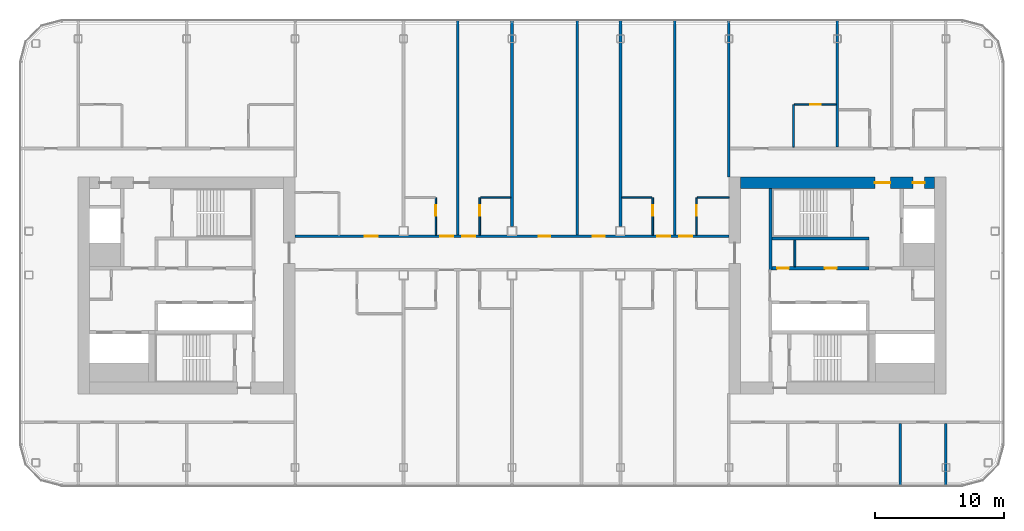
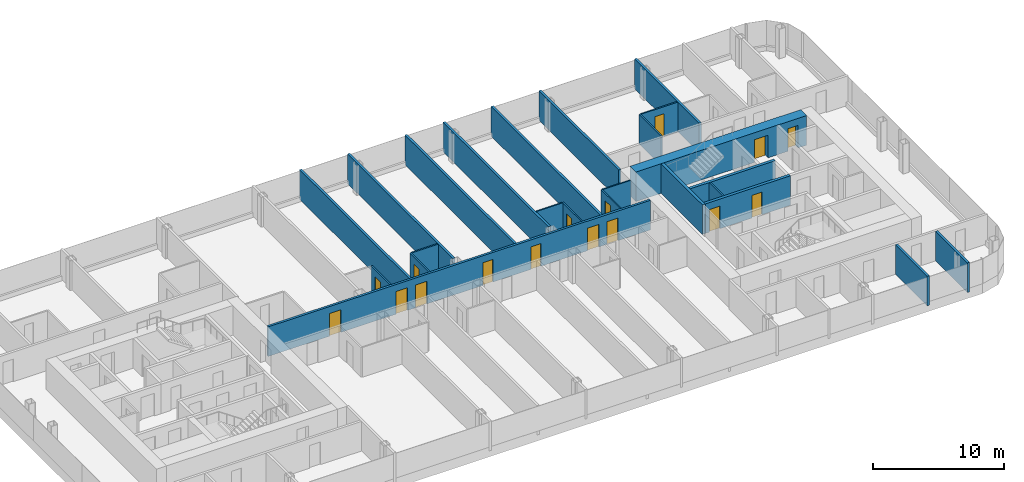
# One storey, part 16 of 26: 24 walls, 16 doors, 16 openings.
"""IFC4 building model written with IfcOpenShell, lengths in metres."""

from ifc_helpers import new_model, si_unit, direction, frame, frame_2d, origin, place, context, subcontext, project, spatial, rectangle, extrude, material, layer, layer_set, type_object, element, fill, save


model = new_model("IFC4")

# Units and contexts
model_context = context("Model", 3, precision=1e-05, world=origin(), true_north=direction((0.0, 1.0)))
body_context = subcontext(model_context, "Body", "Model", "MODEL_VIEW")
ifc_project = project(units=[si_unit("LENGTHUNIT", "METRE"), si_unit("AREAUNIT", "SQUARE_METRE"), si_unit("VOLUMEUNIT", "CUBIC_METRE"), si_unit("PLANEANGLEUNIT", "RADIAN"), si_unit("MASSUNIT", "GRAM", prefix="KILO")], contexts=[model_context])

# Site, building, storey
site_placement = place(None, origin())
site = spatial("IfcSite", under=ifc_project, at=site_placement, CompositionType="ELEMENT")
building_placement = place(site_placement, origin())
building = spatial("IfcBuilding", under=site, at=building_placement, Name="Hakoniwa Tower and Hamabe Station Hall", CompositionType="ELEMENT")
storey_placement = place(building_placement, frame((0.0, 0.0, 209.0)))
storey = spatial("IfcBuildingStorey", under=building, at=storey_placement, Name="L59", CompositionType="ELEMENT", Elevation=209.0)

# Walls
ifc_material_1 = material(Name="Gypsum board partition", Category="gypsum")
ifc_layer_1 = layer(ifc_material_1, 0.125)
ifc_layer_set_1 = layer_set([ifc_layer_1], Name="Bathroom Partition 125")
wall_type_1 = type_object("IfcWallType", Name="Bathroom Partition 125", PredefinedType="PARTITIONING", material=ifc_layer_set_1)
for number, where, z_axis, x_axis, name in (
    (1, (-2.4375, 6.800048828125, 0.0), (0.0, 0.0, 1.0), (1.0, 0.0, 0.0), "GW-L59-011"),
    (2, (8.5, 6.800048828125, 0.0), (0.0, 0.0, 1.0), (1.0, 0.0, 0.0), "GW-L59-012"),
):
    element("IfcWall", number, at=place(storey_placement, frame(where, z_axis=z_axis, x_axis=x_axis)), inside=storey, type_object=wall_type_1, Name=name, PredefinedType="PARTITIONING", context=body_context, shape_type="SweptSolid", body=[
        extrude(rectangle(XDim=2.33740234375, YDim=0.125, at=frame_2d((1.168701171875, 0.0))), origin(), (0.0, 0.0, 1.0), 2.75),
    ])
wall_1_placement = place(storey_placement, frame((14.362548828125, 6.800048828125, 0.0), z_axis=(0.0, 0.0, 1.0), x_axis=(1.0, 0.0, 0.0)))
element("IfcWall", 3, at=wall_1_placement, inside=storey, type_object=wall_type_1, Name="GW-L59-013", PredefinedType="PARTITIONING", context=body_context, shape_type="SweptSolid", body=[
    extrude(rectangle(XDim=2.447509765625, YDim=0.125, at=frame_2d((1.2236328125, 0.0))), origin(), (0.0, 0.0, 1.0), 2.75),
])

# Wall, opening, door
wall_2_placement = place(storey_placement, frame((21.862548828125, 14.0, 0.0), z_axis=(0.0, 0.0, 1.0), x_axis=(1.0, 0.0, 0.0)))
wall_2 = element("IfcWall", 4, at=wall_2_placement, inside=storey, type_object=wall_type_1, Name="GW-L59-021", PredefinedType="PARTITIONING", context=body_context, shape_type="SweptSolid", body=[
    extrude(rectangle(XDim=3.237548828125, YDim=0.125, at=frame_2d((1.61865234375, 0.0))), origin(), (0.0, 0.0, 1.0), 2.75),
])
opening_1_placement = place(wall_2_placement, frame((1.237548828125, 0.0, 0.0)))
opening_1 = element("IfcOpeningElement", 5, at=opening_1_placement, cuts=wall_2, Name="Opening GD-G4C1-33", PredefinedType="OPENING", context=body_context, shape_type="SweptSolid", body=[
    extrude(rectangle(XDim=0.800048828125, YDim=2.10009765625, at=frame_2d((0.39990234375, 1.050048828125))), frame((0.0, 0.072509765625, 0.0), z_axis=(0.0, -1.0, 0.0), x_axis=(1.0, 0.0, 0.0)), (0.0, 0.0, 1.0), 0.14501953125),
])
ifc_material_2 = material(Name="Timber door leaf", Category="wood")
door_type_1 = type_object("IfcDoorType", Name="Bathroom Door 800", OperationType="SINGLE_SWING_LEFT", PredefinedType="DOOR", material=ifc_material_2)
door_1_placement = place(opening_1_placement, origin())
door_1 = element("IfcDoor", 6, at=door_1_placement, inside=storey, type_object=door_type_1, Name="Door GD-G4C1-33", OperationType="SINGLE_SWING_RIGHT", OverallHeight=2.10009765625, OverallWidth=0.800048828125, PredefinedType="DOOR", context=body_context, shape_type="SweptSolid", body=[
    extrude(rectangle(XDim=0.800048828125, YDim=2.10009765625, at=frame_2d((0.39990234375, 1.050048828125))), frame((0.0, 0.02490234375, 0.0), z_axis=(0.0, -1.0, 0.0), x_axis=(1.0, 0.0, 0.0)), (0.0, 0.0, 1.0), 0.050048828125),
])
fill(opening_1, door_1)

wall_3_placement = place(storey_placement, frame((-5.89990234375, 3.89990234375, 0.0), z_axis=(0.0, 0.0, 1.0), x_axis=(0.0, 1.0, 0.0)))
wall_3 = element("IfcWall", 7, at=wall_3_placement, inside=storey, type_object=wall_type_1, Name="GW-L59-036", PredefinedType="PARTITIONING", context=body_context, shape_type="SweptSolid", body=[
    extrude(rectangle(XDim=2.900146484375, YDim=0.125, at=frame_2d((1.4501953125, 0.0))), origin(), (0.0, 0.0, 1.0), 2.75),
])
opening_2_placement = place(wall_3_placement, frame((1.5, 0.0, 0.0)))
opening_2 = element("IfcOpeningElement", 8, at=opening_2_placement, cuts=wall_3, Name="Opening GD-G4C1-37", PredefinedType="OPENING", context=body_context, shape_type="SweptSolid", body=[
    extrude(rectangle(XDim=0.800048828125, YDim=2.10009765625, at=frame_2d((0.39990234375, 1.050048828125))), frame((0.0, 0.072509765625, 0.0), z_axis=(0.0, -1.0, 0.0), x_axis=(1.0, 0.0, 0.0)), (0.0, 0.0, 1.0), 0.14501953125),
])
door_2_placement = place(opening_2_placement, origin())
door_2 = element("IfcDoor", 9, at=door_2_placement, inside=storey, type_object=door_type_1, Name="Door GD-G4C1-37", OperationType="SINGLE_SWING_LEFT", OverallHeight=2.10009765625, OverallWidth=0.800048828125, PredefinedType="DOOR", context=body_context, shape_type="SweptSolid", body=[
    extrude(rectangle(XDim=0.800048828125, YDim=2.10009765625, at=frame_2d((0.39990234375, 1.050048828125))), frame((0.0, 0.02490234375, 0.0), z_axis=(0.0, -1.0, 0.0), x_axis=(1.0, 0.0, 0.0)), (0.0, 0.0, 1.0), 0.050048828125),
])
fill(opening_2, door_2)

wall_4_placement = place(storey_placement, frame((-2.5, 3.89990234375, 0.0), z_axis=(0.0, 0.0, 1.0), x_axis=(0.0, 1.0, 0.0)))
wall_4 = element("IfcWall", 10, at=wall_4_placement, inside=storey, type_object=wall_type_1, Name="GW-L59-040", PredefinedType="PARTITIONING", context=body_context, shape_type="SweptSolid", body=[
    extrude(rectangle(XDim=2.900146484375, YDim=0.125, at=frame_2d((1.4501953125, 0.0))), origin(), (0.0, 0.0, 1.0), 2.75),
])
opening_3_placement = place(wall_4_placement, frame((1.5, 0.0, 0.0)))
opening_3 = element("IfcOpeningElement", 11, at=opening_3_placement, cuts=wall_4, Name="Opening GD-G4C1-39", PredefinedType="OPENING", context=body_context, shape_type="SweptSolid", body=[
    extrude(rectangle(XDim=0.800048828125, YDim=2.10009765625, at=frame_2d((0.39990234375, 1.050048828125))), frame((0.0, 0.072509765625, 0.0), z_axis=(0.0, -1.0, 0.0), x_axis=(1.0, 0.0, 0.0)), (0.0, 0.0, 1.0), 0.14501953125),
])
door_3_placement = place(opening_3_placement, origin())
door_3 = element("IfcDoor", 12, at=door_3_placement, inside=storey, type_object=door_type_1, Name="Door GD-G4C1-39", OperationType="SINGLE_SWING_RIGHT", OverallHeight=2.10009765625, OverallWidth=0.800048828125, PredefinedType="DOOR", context=body_context, shape_type="SweptSolid", body=[
    extrude(rectangle(XDim=0.800048828125, YDim=2.10009765625, at=frame_2d((0.39990234375, 1.050048828125))), frame((0.0, 0.02490234375, 0.0), z_axis=(0.0, -1.0, 0.0), x_axis=(1.0, 0.0, 0.0)), (0.0, 0.0, 1.0), 0.050048828125),
])
fill(opening_3, door_3)

wall_5_placement = place(storey_placement, frame((10.89990234375, 3.89990234375, 0.0), z_axis=(0.0, 0.0, 1.0), x_axis=(0.0, 1.0, 0.0)))
wall_5 = element("IfcWall", 13, at=wall_5_placement, inside=storey, type_object=wall_type_1, Name="GW-L59-048", PredefinedType="PARTITIONING", context=body_context, shape_type="SweptSolid", body=[
    extrude(rectangle(XDim=2.900146484375, YDim=0.125, at=frame_2d((1.4501953125, 0.0))), origin(), (0.0, 0.0, 1.0), 2.75),
])
opening_4_placement = place(wall_5_placement, frame((1.5, 0.0, 0.0)))
opening_4 = element("IfcOpeningElement", 14, at=opening_4_placement, cuts=wall_5, Name="Opening GD-G4C1-41", PredefinedType="OPENING", context=body_context, shape_type="SweptSolid", body=[
    extrude(rectangle(XDim=0.800048828125, YDim=2.10009765625, at=frame_2d((0.39990234375, 1.050048828125))), frame((0.0, 0.072509765625, 0.0), z_axis=(0.0, -1.0, 0.0), x_axis=(1.0, 0.0, 0.0)), (0.0, 0.0, 1.0), 0.14501953125),
])
door_4_placement = place(opening_4_placement, origin())
door_4 = element("IfcDoor", 15, at=door_4_placement, inside=storey, type_object=door_type_1, Name="Door GD-G4C1-41", OperationType="SINGLE_SWING_LEFT", OverallHeight=2.10009765625, OverallWidth=0.800048828125, PredefinedType="DOOR", context=body_context, shape_type="SweptSolid", body=[
    extrude(rectangle(XDim=0.800048828125, YDim=2.10009765625, at=frame_2d((0.39990234375, 1.050048828125))), frame((0.0, 0.02490234375, 0.0), z_axis=(0.0, -1.0, 0.0), x_axis=(1.0, 0.0, 0.0)), (0.0, 0.0, 1.0), 0.050048828125),
])
fill(opening_4, door_4)

wall_6_placement = place(storey_placement, frame((14.300048828125, 3.89990234375, 0.0), z_axis=(0.0, 0.0, 1.0), x_axis=(0.0, 1.0, 0.0)))
wall_6 = element("IfcWall", 16, at=wall_6_placement, inside=storey, type_object=wall_type_1, Name="GW-L59-052", PredefinedType="PARTITIONING", context=body_context, shape_type="SweptSolid", body=[
    extrude(rectangle(XDim=2.900146484375, YDim=0.125, at=frame_2d((1.4501953125, 0.0))), origin(), (0.0, 0.0, 1.0), 2.75),
])
opening_5_placement = place(wall_6_placement, frame((1.5, 0.0, 0.0)))
opening_5 = element("IfcOpeningElement", 17, at=opening_5_placement, cuts=wall_6, Name="Opening GD-G4C1-43", PredefinedType="OPENING", context=body_context, shape_type="SweptSolid", body=[
    extrude(rectangle(XDim=0.800048828125, YDim=2.10009765625, at=frame_2d((0.39990234375, 1.050048828125))), frame((0.0, 0.072509765625, 0.0), z_axis=(0.0, -1.0, 0.0), x_axis=(1.0, 0.0, 0.0)), (0.0, 0.0, 1.0), 0.14501953125),
])
door_5_placement = place(opening_5_placement, origin())
door_5 = element("IfcDoor", 18, at=door_5_placement, inside=storey, type_object=door_type_1, Name="Door GD-G4C1-43", OperationType="SINGLE_SWING_RIGHT", OverallHeight=2.10009765625, OverallWidth=0.800048828125, PredefinedType="DOOR", context=body_context, shape_type="SweptSolid", body=[
    extrude(rectangle(XDim=0.800048828125, YDim=2.10009765625, at=frame_2d((0.39990234375, 1.050048828125))), frame((0.0, 0.02490234375, 0.0), z_axis=(0.0, -1.0, 0.0), x_axis=(1.0, 0.0, 0.0)), (0.0, 0.0, 1.0), 0.050048828125),
])
fill(opening_5, door_5)

# Walls
wall_7_placement = place(storey_placement, frame((21.800048828125, 10.699951171875, 0.0), z_axis=(0.0, 0.0, 1.0), x_axis=(0.0, 1.0, 0.0)))
element("IfcWall", 19, at=wall_7_placement, inside=storey, type_object=wall_type_1, Name="GW-L59-056", PredefinedType="PARTITIONING", context=body_context, shape_type="SweptSolid", body=[
    extrude(rectangle(XDim=3.300048828125, YDim=0.125, at=frame_2d((1.64990234375, 0.0))), origin(), (0.0, 0.0, 1.0), 2.75),
])
ifc_material_3 = material(Name="Gypsum board partition")
ifc_layer_2 = layer(ifc_material_3, 0.14990234375)
ifc_layer_set_2 = layer_set([ifc_layer_2], Name="CORE PARTITION 150 EI 60")
wall_type_2 = type_object("IfcWallType", Name="CORE PARTITION 150 EI 60", PredefinedType="PARTITIONING", material=ifc_layer_set_2)
wall_8_placement = place(storey_placement, frame((21.89990234375, 1.449951171875, 0.0), z_axis=(0.0, 0.0, 1.0), x_axis=(0.0, 1.0, 0.0)))
element("IfcWall", 20, at=wall_8_placement, inside=storey, type_object=wall_type_2, Name="Core partition PFLR0 east", PredefinedType="PARTITIONING", context=body_context, shape_type="SweptSolid", body=[
    extrude(rectangle(XDim=2.050048828125, YDim=0.14990234375, at=frame_2d((1.02490234375, 0.0))), origin(), (0.0, 0.0, 1.0), 2.75),
])

# Wall, openings, doors
ifc_material_4 = material(Name="Concrete C60", Category="concrete")
ifc_layer_3 = layer(ifc_material_4, 0.89990234375)
ifc_layer_set_3 = layer_set([ifc_layer_3], Name="CORE WALL 900 C60")
wall_type_3 = type_object("IfcWallType", Name="CORE WALL 900 C60", PredefinedType="SHEAR", material=ifc_layer_set_3)
wall_9_placement = place(storey_placement, frame((17.699951171875, 7.949951171875, 0.0), z_axis=(0.0, 0.0, 1.0), x_axis=(1.0, 0.0, 0.0)))
wall_9 = element("IfcWall", 21, at=wall_9_placement, inside=storey, type_object=wall_type_3, Name="Core wall NORTH east", PredefinedType="SHEAR", context=body_context, shape_type="SweptSolid", body=[
    extrude(rectangle(XDim=15.0, YDim=0.89990234375, at=frame_2d((7.5, 0.0))), origin(), (0.0, 0.0, 1.0), 2.75),
])
opening_6_placement = place(wall_9_placement, frame((10.39990234375, 0.0, 0.0)))
opening_6 = element("IfcOpeningElement", 22, at=opening_6_placement, cuts=wall_9, Name="Opening CD-E-FN1-12", PredefinedType="OPENING", context=body_context, shape_type="SweptSolid", body=[
    extrude(rectangle(XDim=1.199951171875, YDim=2.10009765625, at=frame_2d((0.60009765625, 1.050048828125))), frame((0.0, 0.4599609375, 0.0), z_axis=(0.0, -1.0, 0.0), x_axis=(1.0, 0.0, 0.0)), (0.0, 0.0, 1.0), 0.919921875),
])
opening_7_placement = place(wall_9_placement, frame((13.35009765625, 0.0, 0.0)))
opening_7 = element("IfcOpeningElement", 23, at=opening_7_placement, cuts=wall_9, Name="Opening CD-E-FN2-9", PredefinedType="OPENING", context=body_context, shape_type="SweptSolid", body=[
    extrude(rectangle(XDim=0.89990234375, YDim=2.10009765625, at=frame_2d((0.449951171875, 1.050048828125))), frame((0.0, 0.4599609375, 0.0), z_axis=(0.0, -1.0, 0.0), x_axis=(1.0, 0.0, 0.0)), (0.0, 0.0, 1.0), 0.919921875),
])
ifc_material_5 = material(Name="Steel fire door", Category="steel")
door_type_2 = type_object("IfcDoorType", Name="CORE DOOR 1200 FD60", OperationType="DOUBLE_DOOR_SINGLE_SWING", PredefinedType="DOOR", material=ifc_material_5)
door_6_placement = place(opening_6_placement, origin())
door_6 = element("IfcDoor", 24, at=door_6_placement, inside=storey, type_object=door_type_2, Name="Stair vestibule door to the fire-fighting lobby", OperationType="DOUBLE_DOOR_SINGLE_SWING", OverallHeight=2.10009765625, OverallWidth=1.199951171875, PredefinedType="DOOR", context=body_context, shape_type="SweptSolid", body=[
    extrude(rectangle(XDim=1.199951171875, YDim=2.10009765625, at=frame_2d((0.60009765625, 1.050048828125))), frame((0.0, 0.02490234375, 0.0), z_axis=(0.0, -1.0, 0.0), x_axis=(1.0, 0.0, 0.0)), (0.0, 0.0, 1.0), 0.050048828125),
])
fill(opening_6, door_6)
ifc_material_6 = material(Name="Steel fire door", Category="steel")
door_type_3 = type_object("IfcDoorType", Name="CORE DOOR 900 FD30", OperationType="NOTDEFINED", PredefinedType="DOOR", material=ifc_material_6)
door_7_placement = place(opening_7_placement, origin())
door_7 = element("IfcDoor", 25, at=door_7_placement, inside=storey, type_object=door_type_3, Name="Riser access door", OperationType="SINGLE_SWING_RIGHT", OverallHeight=2.10009765625, OverallWidth=0.89990234375, PredefinedType="DOOR", context=body_context, shape_type="SweptSolid", body=[
    extrude(rectangle(XDim=0.89990234375, YDim=2.10009765625, at=frame_2d((0.449951171875, 1.050048828125))), frame((0.0, 0.02490234375, 0.0), z_axis=(0.0, -1.0, 0.0), x_axis=(1.0, 0.0, 0.0)), (0.0, 0.0, 1.0), 0.050048828125),
])
fill(opening_7, door_7)

# Wall
ifc_material_7 = material(Name="Concrete C60", Category="concrete")
ifc_layer_4 = layer(ifc_material_7, 0.25)
ifc_layer_set_4 = layer_set([ifc_layer_4], Name="CORE WEB WALL 250 C60")
wall_type_4 = type_object("IfcWallType", Name="CORE WEB WALL 250 C60", PredefinedType="SHEAR", material=ifc_layer_set_4)
wall_10_placement = place(storey_placement, frame((20.02490234375, 1.199951171875, 0.0), z_axis=(0.0, 0.0, 1.0), x_axis=(0.0, 1.0, 0.0)))
element("IfcWall", 26, at=wall_10_placement, inside=storey, type_object=wall_type_4, Name="Core wall W1N east", PredefinedType="SHEAR", context=body_context, shape_type="SweptSolid", body=[
    extrude(rectangle(XDim=6.300048828125, YDim=0.25, at=frame_2d((3.14990234375, 0.0))), origin(), (0.0, 0.0, 1.0), 2.75),
])

# Wall, openings, doors
wall_11_placement = place(storey_placement, frame((20.14990234375, 1.324951171875, 0.0), z_axis=(0.0, 0.0, 1.0), x_axis=(1.0, 0.0, 0.0)))
wall_11 = element("IfcWall", 27, at=wall_11_placement, inside=storey, type_object=wall_type_4, Name="Core wall NF east", PredefinedType="SHEAR", context=body_context, shape_type="SweptSolid", body=[
    extrude(rectangle(XDim=7.5, YDim=0.25, at=frame_2d((3.75, 0.0))), origin(), (0.0, 0.0, 1.0), 2.75),
])
opening_8_placement = place(wall_11_placement, frame((0.387451171875, 0.0, 0.0)))
opening_8 = element("IfcOpeningElement", 28, at=opening_8_placement, cuts=wall_11, Name="Opening CD-E-FRLR0-9", PredefinedType="OPENING", context=body_context, shape_type="SweptSolid", body=[
    extrude(rectangle(XDim=0.89990234375, YDim=2.10009765625, at=frame_2d((0.449951171875, 1.050048828125))), frame((0.0, 0.135009765625, 0.0), z_axis=(0.0, -1.0, 0.0), x_axis=(1.0, 0.0, 0.0)), (0.0, 0.0, 1.0), 0.27001953125),
])
opening_9_placement = place(wall_11_placement, frame((4.08740234375, 0.0, 0.0)))
opening_9 = element("IfcOpeningElement", 29, at=opening_9_placement, cuts=wall_11, Name="Opening CD-E-FRLR1-9", PredefinedType="OPENING", context=body_context, shape_type="SweptSolid", body=[
    extrude(rectangle(XDim=0.89990234375, YDim=2.10009765625, at=frame_2d((0.449951171875, 1.050048828125))), frame((0.0, 0.135009765625, 0.0), z_axis=(0.0, -1.0, 0.0), x_axis=(1.0, 0.0, 0.0)), (0.0, 0.0, 1.0), 0.27001953125),
])
door_8_placement = place(opening_8_placement, origin())
door_8 = element("IfcDoor", 30, at=door_8_placement, inside=storey, type_object=door_type_3, Name="Store room door", OperationType="SINGLE_SWING_LEFT", OverallHeight=2.10009765625, OverallWidth=0.89990234375, PredefinedType="DOOR", context=body_context, shape_type="SweptSolid", body=[
    extrude(rectangle(XDim=0.89990234375, YDim=2.10009765625, at=frame_2d((0.449951171875, 1.050048828125))), frame((0.0, 0.02490234375, 0.0), z_axis=(0.0, -1.0, 0.0), x_axis=(1.0, 0.0, 0.0)), (0.0, 0.0, 1.0), 0.050048828125),
])
fill(opening_8, door_8)
door_9_placement = place(opening_9_placement, origin())
door_9 = element("IfcDoor", 31, at=door_9_placement, inside=storey, type_object=door_type_3, Name="Store room door", OperationType="SINGLE_SWING_RIGHT", OverallHeight=2.10009765625, OverallWidth=0.89990234375, PredefinedType="DOOR", context=body_context, shape_type="SweptSolid", body=[
    extrude(rectangle(XDim=0.89990234375, YDim=2.10009765625, at=frame_2d((0.449951171875, 1.050048828125))), frame((0.0, 0.02490234375, 0.0), z_axis=(0.0, -1.0, 0.0), x_axis=(1.0, 0.0, 0.0)), (0.0, 0.0, 1.0), 0.050048828125),
])
fill(opening_9, door_9)

# Wall
wall_12_placement = place(storey_placement, frame((20.14990234375, 3.625, 0.0), z_axis=(0.0, 0.0, 1.0), x_axis=(1.0, 0.0, 0.0)))
element("IfcWall", 32, at=wall_12_placement, inside=storey, type_object=wall_type_4, Name="Core wall NR east", PredefinedType="SHEAR", context=body_context, shape_type="SweptSolid", body=[
    extrude(rectangle(XDim=7.5, YDim=0.25, at=frame_2d((3.75, 0.0))), origin(), (0.0, 0.0, 1.0), 2.75),
])

# Wall, openings, doors
ifc_material_8 = material(Name="Fire-rated gypsum board partition", Category="gypsum")
ifc_layer_5 = layer(ifc_material_8, 0.199951171875)
ifc_layer_set_5 = layer_set([ifc_layer_5], Name="Corridor Wall 200")
wall_type_5 = type_object("IfcWallType", Name="Corridor Wall 200", PredefinedType="PARTITIONING", material=ifc_layer_set_5)
wall_13_placement = place(storey_placement, frame((-16.800048828125, 3.800048828125, 0.0), z_axis=(0.0, 0.0, 1.0), x_axis=(1.0, 0.0, 0.0)))
wall_13 = element("IfcWall", 33, at=wall_13_placement, inside=storey, type_object=wall_type_5, Name="GW-L59-009", PredefinedType="PARTITIONING", context=body_context, shape_type="SweptSolid", body=[
    extrude(rectangle(XDim=33.60009765625, YDim=0.199951171875, at=frame_2d((16.800048828125, 0.0))), origin(), (0.0, 0.0, 1.0), 2.75),
])
opening_10_placement = place(wall_13_placement, frame((5.39990234375, 0.0, 0.0)))
opening_10 = element("IfcOpeningElement", 34, at=opening_10_placement, cuts=wall_13, Name="Opening GD-G4C1-17", PredefinedType="OPENING", context=body_context, shape_type="SweptSolid", body=[
    extrude(rectangle(XDim=1.0, YDim=2.10009765625, at=frame_2d((0.5, 1.050048828125))), frame((0.0, 0.10986328125, 0.0), z_axis=(0.0, -1.0, 0.0), x_axis=(1.0, 0.0, 0.0)), (0.0, 0.0, 1.0), 0.219970703125),
])
opening_11_placement = place(wall_13_placement, frame((11.25, 0.0, 0.0)))
opening_11 = element("IfcOpeningElement", 35, at=opening_11_placement, cuts=wall_13, Name="Opening GD-G4C1-18", PredefinedType="OPENING", context=body_context, shape_type="SweptSolid", body=[
    extrude(rectangle(XDim=1.0, YDim=2.10009765625, at=frame_2d((0.5, 1.050048828125))), frame((0.0, 0.10986328125, 0.0), z_axis=(0.0, -1.0, 0.0), x_axis=(1.0, 0.0, 0.0)), (0.0, 0.0, 1.0), 0.219970703125),
])
opening_12_placement = place(wall_13_placement, frame((12.949951171875, 0.0, 0.0)))
opening_12 = element("IfcOpeningElement", 36, at=opening_12_placement, cuts=wall_13, Name="Opening GD-G4C1-19", PredefinedType="OPENING", context=body_context, shape_type="SweptSolid", body=[
    extrude(rectangle(XDim=1.0, YDim=2.10009765625, at=frame_2d((0.5, 1.050048828125))), frame((0.0, 0.10986328125, 0.0), z_axis=(0.0, -1.0, 0.0), x_axis=(1.0, 0.0, 0.0)), (0.0, 0.0, 1.0), 0.219970703125),
])
opening_13_placement = place(wall_13_placement, frame((18.8701171875, 0.0, 0.0)))
opening_13 = element("IfcOpeningElement", 37, at=opening_13_placement, cuts=wall_13, Name="Opening GD-G4C1-20", PredefinedType="OPENING", context=body_context, shape_type="SweptSolid", body=[
    extrude(rectangle(XDim=0.89990234375, YDim=2.10009765625, at=frame_2d((0.449951171875, 1.050048828125))), frame((0.0, 0.10986328125, 0.0), z_axis=(0.0, -1.0, 0.0), x_axis=(1.0, 0.0, 0.0)), (0.0, 0.0, 1.0), 0.219970703125),
])
opening_14_placement = place(wall_13_placement, frame((23.070068359375, 0.0, 0.0)))
opening_14 = element("IfcOpeningElement", 38, at=opening_14_placement, cuts=wall_13, Name="Opening GD-G4C1-21", PredefinedType="OPENING", context=body_context, shape_type="SweptSolid", body=[
    extrude(rectangle(XDim=0.89990234375, YDim=2.10009765625, at=frame_2d((0.449951171875, 1.050048828125))), frame((0.0, 0.10986328125, 0.0), z_axis=(0.0, -1.0, 0.0), x_axis=(1.0, 0.0, 0.0)), (0.0, 0.0, 1.0), 0.219970703125),
])
opening_15_placement = place(wall_13_placement, frame((28.050048828125, 0.0, 0.0)))
opening_15 = element("IfcOpeningElement", 39, at=opening_15_placement, cuts=wall_13, Name="Opening GD-G4C1-22", PredefinedType="OPENING", context=body_context, shape_type="SweptSolid", body=[
    extrude(rectangle(XDim=1.0, YDim=2.10009765625, at=frame_2d((0.5, 1.050048828125))), frame((0.0, 0.10986328125, 0.0), z_axis=(0.0, -1.0, 0.0), x_axis=(1.0, 0.0, 0.0)), (0.0, 0.0, 1.0), 0.219970703125),
])
opening_16_placement = place(wall_13_placement, frame((29.75, 0.0, 0.0)))
opening_16 = element("IfcOpeningElement", 40, at=opening_16_placement, cuts=wall_13, Name="Opening GD-G4C1-23", PredefinedType="OPENING", context=body_context, shape_type="SweptSolid", body=[
    extrude(rectangle(XDim=1.0, YDim=2.10009765625, at=frame_2d((0.5, 1.050048828125))), frame((0.0, 0.10986328125, 0.0), z_axis=(0.0, -1.0, 0.0), x_axis=(1.0, 0.0, 0.0)), (0.0, 0.0, 1.0), 0.219970703125),
])
ifc_material_9 = material(Name="Timber door leaf", Category="wood")
door_type_4 = type_object("IfcDoorType", Name="Guest Entrance Door 1000", OperationType="SINGLE_SWING_LEFT", PredefinedType="DOOR", material=ifc_material_9)
door_10_placement = place(opening_10_placement, origin())
door_10 = element("IfcDoor", 41, at=door_10_placement, inside=storey, type_object=door_type_4, Name="Door GD-G4C1-17", OperationType="SINGLE_SWING_LEFT", OverallHeight=2.10009765625, OverallWidth=1.0, PredefinedType="DOOR", context=body_context, shape_type="SweptSolid", body=[
    extrude(rectangle(XDim=1.0, YDim=2.10009765625, at=frame_2d((0.5, 1.050048828125))), frame((0.0, 0.02490234375, 0.0), z_axis=(0.0, -1.0, 0.0), x_axis=(1.0, 0.0, 0.0)), (0.0, 0.0, 1.0), 0.050048828125),
])
fill(opening_10, door_10)
door_11_placement = place(opening_11_placement, origin())
door_11 = element("IfcDoor", 42, at=door_11_placement, inside=storey, type_object=door_type_4, Name="Door GD-G4C1-18", OperationType="SINGLE_SWING_RIGHT", OverallHeight=2.10009765625, OverallWidth=1.0, PredefinedType="DOOR", context=body_context, shape_type="SweptSolid", body=[
    extrude(rectangle(XDim=1.0, YDim=2.10009765625, at=frame_2d((0.5, 1.050048828125))), frame((0.0, 0.02490234375, 0.0), z_axis=(0.0, -1.0, 0.0), x_axis=(1.0, 0.0, 0.0)), (0.0, 0.0, 1.0), 0.050048828125),
])
fill(opening_11, door_11)
door_12_placement = place(opening_12_placement, origin())
door_12 = element("IfcDoor", 43, at=door_12_placement, inside=storey, type_object=door_type_4, Name="Door GD-G4C1-19", OperationType="SINGLE_SWING_LEFT", OverallHeight=2.10009765625, OverallWidth=1.0, PredefinedType="DOOR", context=body_context, shape_type="SweptSolid", body=[
    extrude(rectangle(XDim=1.0, YDim=2.10009765625, at=frame_2d((0.5, 1.050048828125))), frame((0.0, 0.02490234375, 0.0), z_axis=(0.0, -1.0, 0.0), x_axis=(1.0, 0.0, 0.0)), (0.0, 0.0, 1.0), 0.050048828125),
])
fill(opening_12, door_12)
door_13_placement = place(opening_15_placement, origin())
door_13 = element("IfcDoor", 44, at=door_13_placement, inside=storey, type_object=door_type_4, Name="Door GD-G4C1-22", OperationType="SINGLE_SWING_LEFT", OverallHeight=2.10009765625, OverallWidth=1.0, PredefinedType="DOOR", context=body_context, shape_type="SweptSolid", body=[
    extrude(rectangle(XDim=1.0, YDim=2.10009765625, at=frame_2d((0.5, 1.050048828125))), frame((0.0, 0.02490234375, 0.0), z_axis=(0.0, -1.0, 0.0), x_axis=(1.0, 0.0, 0.0)), (0.0, 0.0, 1.0), 0.050048828125),
])
fill(opening_15, door_13)
door_14_placement = place(opening_16_placement, origin())
door_14 = element("IfcDoor", 45, at=door_14_placement, inside=storey, type_object=door_type_4, Name="Door GD-G4C1-23", OperationType="SINGLE_SWING_RIGHT", OverallHeight=2.10009765625, OverallWidth=1.0, PredefinedType="DOOR", context=body_context, shape_type="SweptSolid", body=[
    extrude(rectangle(XDim=1.0, YDim=2.10009765625, at=frame_2d((0.5, 1.050048828125))), frame((0.0, 0.02490234375, 0.0), z_axis=(0.0, -1.0, 0.0), x_axis=(1.0, 0.0, 0.0)), (0.0, 0.0, 1.0), 0.050048828125),
])
fill(opening_16, door_14)
ifc_material_10 = material(Name="Timber door leaf", Category="wood")
door_type_5 = type_object("IfcDoorType", Name="Service Door 900", OperationType="SINGLE_SWING_LEFT", PredefinedType="DOOR", material=ifc_material_10)
door_15_placement = place(opening_13_placement, origin())
door_15 = element("IfcDoor", 46, at=door_15_placement, inside=storey, type_object=door_type_5, Name="Door GD-G4C1-20", OperationType="SINGLE_SWING_LEFT", OverallHeight=2.10009765625, OverallWidth=0.89990234375, PredefinedType="DOOR", context=body_context, shape_type="SweptSolid", body=[
    extrude(rectangle(XDim=0.89990234375, YDim=2.10009765625, at=frame_2d((0.449951171875, 1.050048828125))), frame((0.0, 0.02490234375, 0.0), z_axis=(0.0, -1.0, 0.0), x_axis=(1.0, 0.0, 0.0)), (0.0, 0.0, 1.0), 0.050048828125),
])
fill(opening_13, door_15)
door_16_placement = place(opening_14_placement, origin())
door_16 = element("IfcDoor", 47, at=door_16_placement, inside=storey, type_object=door_type_5, Name="Door GD-G4C1-21", OperationType="SINGLE_SWING_RIGHT", OverallHeight=2.10009765625, OverallWidth=0.89990234375, PredefinedType="DOOR", context=body_context, shape_type="SweptSolid", body=[
    extrude(rectangle(XDim=0.89990234375, YDim=2.10009765625, at=frame_2d((0.449951171875, 1.050048828125))), frame((0.0, 0.02490234375, 0.0), z_axis=(0.0, -1.0, 0.0), x_axis=(1.0, 0.0, 0.0)), (0.0, 0.0, 1.0), 0.050048828125),
])
fill(opening_14, door_16)

# Walls
ifc_material_11 = material(Name="Fire-rated gypsum board partition", Category="gypsum")
ifc_layer_6 = layer(ifc_material_11, 0.199951171875)
ifc_layer_set_6 = layer_set([ifc_layer_6], Name="Party Wall 200")
wall_type_6 = type_object("IfcWallType", Name="Party Wall 200", PredefinedType="PARTITIONING", material=ifc_layer_set_6)
wall_14_placement = place(storey_placement, frame((-4.199951171875, 3.89990234375, 0.0), z_axis=(0.0, 0.0, 1.0), x_axis=(0.0, 1.0, 0.0)))
element("IfcWall", 48, at=wall_14_placement, inside=storey, type_object=wall_type_6, Name="GW-L59-038", PredefinedType="PARTITIONING", context=body_context, shape_type="SweptSolid", body=[
    extrude(rectangle(XDim=16.650146484375, YDim=0.199951171875, at=frame_2d((8.3251953125, 0.0))), origin(), (0.0, 0.0, 1.0), 2.75),
])
wall_15_placement = place(storey_placement, frame((0.0, 4.5400390625, 0.0), z_axis=(0.0, 0.0, 1.0), x_axis=(0.0, 1.0, 0.0)))
element("IfcWall", 49, at=wall_15_placement, inside=storey, type_object=wall_type_6, Name="GW-L59-042", PredefinedType="PARTITIONING", context=body_context, shape_type="SweptSolid", body=[
    extrude(rectangle(XDim=16.010009765625, YDim=0.199951171875, at=frame_2d((8.0048828125, 0.0))), origin(), (0.0, 0.0, 1.0), 2.75),
])
wall_16_placement = place(storey_placement, frame((5.0400390625, 3.89990234375, 0.0), z_axis=(0.0, 0.0, 1.0), x_axis=(0.0, 1.0, 0.0)))
element("IfcWall", 50, at=wall_16_placement, inside=storey, type_object=wall_type_6, Name="GW-L59-043", PredefinedType="PARTITIONING", context=body_context, shape_type="SweptSolid", body=[
    extrude(rectangle(XDim=16.650146484375, YDim=0.199951171875, at=frame_2d((8.3251953125, 0.0))), origin(), (0.0, 0.0, 1.0), 2.75),
])
wall_17_placement = place(storey_placement, frame((8.39990234375, 4.5400390625, 0.0), z_axis=(0.0, 0.0, 1.0), x_axis=(0.0, 1.0, 0.0)))
element("IfcWall", 51, at=wall_17_placement, inside=storey, type_object=wall_type_6, Name="GW-L59-046", PredefinedType="PARTITIONING", context=body_context, shape_type="SweptSolid", body=[
    extrude(rectangle(XDim=16.010009765625, YDim=0.199951171875, at=frame_2d((8.0048828125, 0.0))), origin(), (0.0, 0.0, 1.0), 2.75),
])
wall_18_placement = place(storey_placement, frame((12.60009765625, 3.89990234375, 0.0), z_axis=(0.0, 0.0, 1.0), x_axis=(0.0, 1.0, 0.0)))
element("IfcWall", 52, at=wall_18_placement, inside=storey, type_object=wall_type_6, Name="GW-L59-050", PredefinedType="PARTITIONING", context=body_context, shape_type="SweptSolid", body=[
    extrude(rectangle(XDim=16.650146484375, YDim=0.199951171875, at=frame_2d((8.3251953125, 0.0))), origin(), (0.0, 0.0, 1.0), 2.75),
])
wall_19_placement = place(storey_placement, frame((16.800048828125, 8.389892578125, 0.0), z_axis=(0.0, 0.0, 1.0), x_axis=(0.0, 1.0, 0.0)))
element("IfcWall", 53, at=wall_19_placement, inside=storey, type_object=wall_type_6, Name="GW-L59-054", PredefinedType="PARTITIONING", context=body_context, shape_type="SweptSolid", body=[
    extrude(rectangle(XDim=12.16015625, YDim=0.199951171875, at=frame_2d((6.080078125, 0.0))), origin(), (0.0, 0.0, 1.0), 2.75),
])
wall_20_placement = place(storey_placement, frame((25.199951171875, 10.699951171875, 0.0), z_axis=(0.0, 0.0, 1.0), x_axis=(0.0, 1.0, 0.0)))
element("IfcWall", 54, at=wall_20_placement, inside=storey, type_object=wall_type_6, Name="GW-L59-058", PredefinedType="PARTITIONING", context=body_context, shape_type="SweptSolid", body=[
    extrude(rectangle(XDim=9.85009765625, YDim=0.199951171875, at=frame_2d((4.925048828125, 0.0))), origin(), (0.0, 0.0, 1.0), 2.75),
])
for number, where, z_axis, x_axis, name in (
    (55, (30.070068359375, -15.550048828125, 0.0), (0.0, 0.0, 1.0), (0.0, 1.0, 0.0), "GW-L59-061"),
    (56, (33.60009765625, -15.550048828125, 0.0), (0.0, 0.0, 1.0), (0.0, 1.0, 0.0), "GW-L59-063"),
):
    element("IfcWall", number, at=place(storey_placement, frame(where, z_axis=z_axis, x_axis=x_axis)), inside=storey, type_object=wall_type_6, Name=name, PredefinedType="PARTITIONING", context=body_context, shape_type="SweptSolid", body=[
        extrude(rectangle(XDim=4.85009765625, YDim=0.199951171875, at=frame_2d((2.425048828125, 0.0))), origin(), (0.0, 0.0, 1.0), 2.75),
    ])

save(model, "model.ifc")
